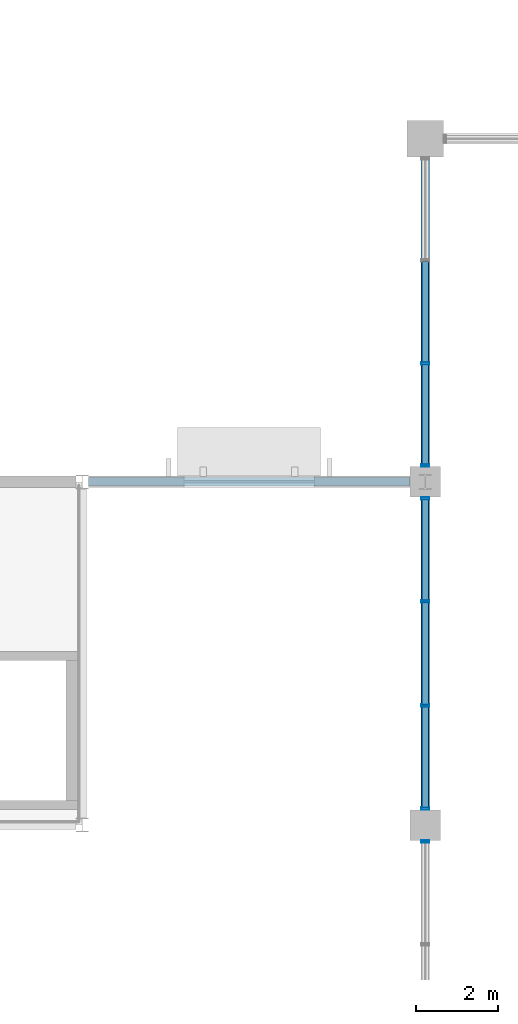
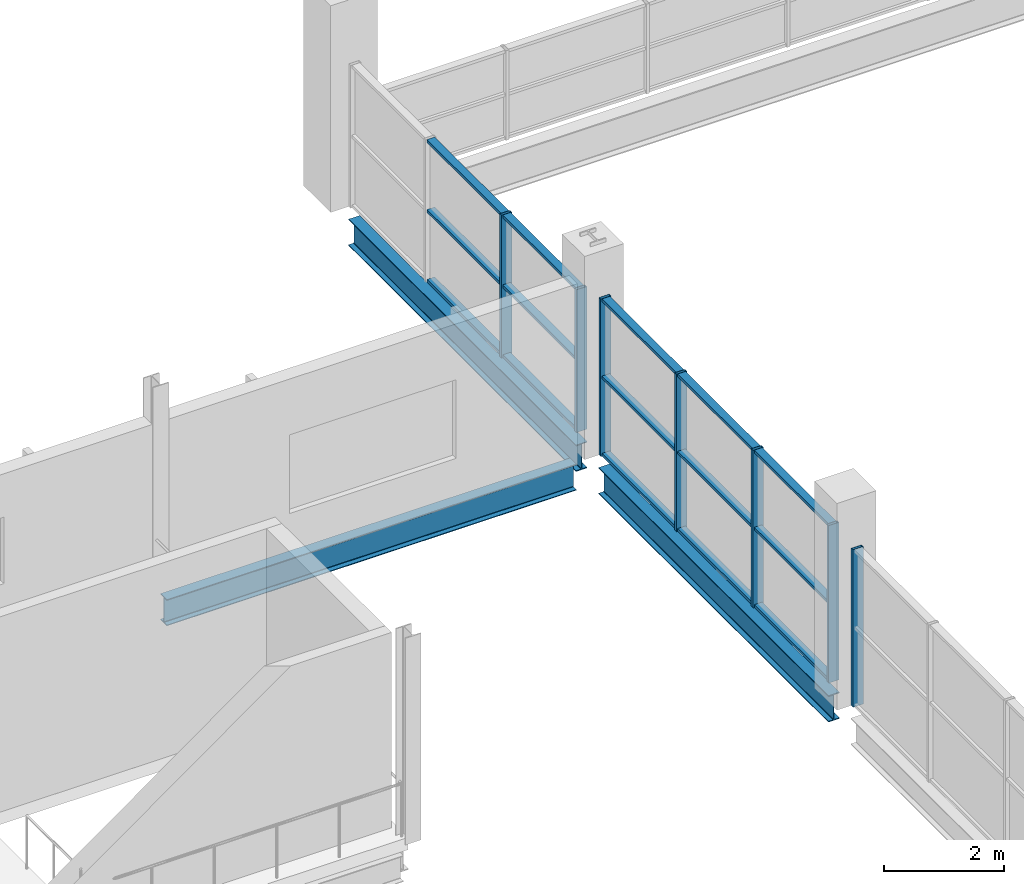
# One storey, part 22 of 68: 22 members, 3 beams, 3 elements without a shape of their own.
"""IFC4 building model written with IfcOpenShell, lengths in metres."""

from ifc_helpers import new_model, si_unit, direction, frame, origin, origin_2d, place, context, subcontext, project, spatial, hollow_rectangle, i_section, extrude, material, material_profile, profile_set, type_object, element, aggregate, save


model = new_model("IFC4")

# Units and contexts
model_context = context("Model", 3, precision=1e-05, world=origin(), true_north=direction((0.0, 1.0)))
body_context = subcontext(model_context, "Body", "Model", "MODEL_VIEW")
ifc_project = project(units=[si_unit("LENGTHUNIT", "METRE"), si_unit("AREAUNIT", "SQUARE_METRE"), si_unit("VOLUMEUNIT", "CUBIC_METRE"), si_unit("PLANEANGLEUNIT", "RADIAN"), si_unit("MASSUNIT", "GRAM", prefix="KILO"), si_unit("THERMODYNAMICTEMPERATUREUNIT", "KELVIN")], contexts=[model_context])

# Site, building, storey
site_placement = place(None, origin())
site = spatial("IfcSite", under=ifc_project, at=site_placement, CompositionType="ELEMENT")
building_placement = place(site_placement, origin())
building = spatial("IfcBuilding", under=site, at=building_placement, Name="Nduvali Passage Aquatics Centre", CompositionType="ELEMENT")
storey_placement = place(building_placement, frame((0.0, 0.0, 13.199951171875)))
storey = spatial("IfcBuildingStorey", under=building, at=storey_placement, Name="L03", CompositionType="ELEMENT", Elevation=13.199951171875)

# Curtain wall, member
ifc_material_1 = material(Name="Aluminium EN AW-6063 T6", Category="aluminium")
curtain_wall_type = type_object("IfcCurtainWallType", Name="ENV-CW-CLER", PredefinedType="NOTDEFINED", material=ifc_material_1)
curtain_wall_1_placement = place(storey_placement, origin())
curtain_wall_1 = element("IfcCurtainWall", 1, at=curtain_wall_1_placement, inside=storey, type_object=curtain_wall_type, Name="L03 West Pool Hall Upper Clerestory 009", PredefinedType="NOTDEFINED")
ifc_material_profile_1 = material_profile(ifc_material_1, hollow_rectangle(XDim=0.06005859375, YDim=0.199951171875, WallThickness=0.00390625, at=origin_2d()), Name="ALU MULLION 60x200x4")
ifc_profile_set_1 = profile_set([ifc_material_profile_1], Name="Aluminium EN AW-6063 T6")
member_type_1 = type_object("IfcMemberType", Name="ENV-MEM-MUL80", PredefinedType="MULLION", material=ifc_profile_set_1)
member_1_placement = place(storey_placement, frame((25.199951171875, 75.195068359375, 0.0), z_axis=(0.0, 0.0, 1.0), x_axis=(0.0, 1.0, 0.0)))
member_1 = element("IfcMember", 2, at=member_1_placement, type_object=member_type_1, Name="West Pool Hall Upper Clerestory Mullion 4", PredefinedType="MULLION", context=body_context, shape_type="SweptSolid", body=[
    extrude(hollow_rectangle(XDim=0.06005859375, YDim=0.199951171875, WallThickness=0.00390625, at=origin_2d()), origin(), (0.0, 0.0, 1.0), 3.199951171875),
])
aggregate(curtain_wall_1, [member_1])

# Curtain wall, members
curtain_wall_2_placement = place(storey_placement, origin())
curtain_wall_2 = element("IfcCurtainWall", 3, at=curtain_wall_2_placement, inside=storey, type_object=curtain_wall_type, Name="L03 West Pool Hall Upper Clerestory 010", PredefinedType="NOTDEFINED")
member_2_placement = place(storey_placement, frame((25.199951171875, 76.0048828125, 0.0), z_axis=(0.0, 0.0, 1.0), x_axis=(0.0, 1.0, 0.0)))
member_2 = element("IfcMember", 4, at=member_2_placement, type_object=member_type_1, Name="West Pool Hall Upper Clerestory Mullion 1", PredefinedType="MULLION", context=body_context, shape_type="SweptSolid", body=[
    extrude(hollow_rectangle(XDim=0.06005859375, YDim=0.199951171875, WallThickness=0.00390625, at=origin_2d()), origin(), (0.0, 0.0, 1.0), 3.199951171875),
])
member_3_placement = place(storey_placement, frame((25.199951171875, 78.52490234375, 0.0), z_axis=(0.0, 0.0, 1.0), x_axis=(0.0, 1.0, 0.0)))
member_3 = element("IfcMember", 5, at=member_3_placement, type_object=member_type_1, Name="West Pool Hall Upper Clerestory Mullion 2", PredefinedType="MULLION", context=body_context, shape_type="SweptSolid", body=[
    extrude(hollow_rectangle(XDim=0.06005859375, YDim=0.199951171875, WallThickness=0.00390625, at=origin_2d()), origin(), (0.0, 0.0, 1.0), 3.199951171875),
])
member_4_placement = place(storey_placement, frame((25.199951171875, 81.074951171875, 0.0), z_axis=(0.0, 0.0, 1.0), x_axis=(0.0, 1.0, 0.0)))
member_4 = element("IfcMember", 6, at=member_4_placement, type_object=member_type_1, Name="West Pool Hall Upper Clerestory Mullion 3", PredefinedType="MULLION", context=body_context, shape_type="SweptSolid", body=[
    extrude(hollow_rectangle(XDim=0.06005859375, YDim=0.199951171875, WallThickness=0.00390625, at=origin_2d()), origin(), (0.0, 0.0, 1.0), 3.199951171875),
])
member_5_placement = place(storey_placement, frame((25.199951171875, 83.594970703125, 0.0), z_axis=(0.0, 0.0, 1.0), x_axis=(0.0, 1.0, 0.0)))
member_5 = element("IfcMember", 7, at=member_5_placement, type_object=member_type_1, Name="West Pool Hall Upper Clerestory Mullion 4", PredefinedType="MULLION", context=body_context, shape_type="SweptSolid", body=[
    extrude(hollow_rectangle(XDim=0.06005859375, YDim=0.199951171875, WallThickness=0.00390625, at=origin_2d()), origin(), (0.0, 0.0, 1.0), 3.199951171875),
])

curtain_wall_3_placement = place(storey_placement, origin())
curtain_wall_3 = element("IfcCurtainWall", 8, at=curtain_wall_3_placement, inside=storey, type_object=curtain_wall_type, Name="L03 West Pool Hall High Arch Clerestory 014", PredefinedType="NOTDEFINED")
member_6_placement = place(storey_placement, frame((25.199951171875, 84.405029296875, 0.0), z_axis=(0.0, 0.0, 1.0), x_axis=(0.0, 1.0, 0.0)))
member_6 = element("IfcMember", 9, at=member_6_placement, type_object=member_type_1, Name="West Pool Hall High Arch Clerestory Mullion 1", PredefinedType="MULLION", context=body_context, shape_type="SweptSolid", body=[
    extrude(hollow_rectangle(XDim=0.06005859375, YDim=0.199951171875, WallThickness=0.00390625, at=origin_2d()), origin(), (0.0, 0.0, 1.0), 2.900146484375),
])
member_7_placement = place(storey_placement, frame((25.199951171875, 86.89990234375, 0.0), z_axis=(0.0, 0.0, 1.0), x_axis=(0.0, 1.0, 0.0)))
member_7 = element("IfcMember", 10, at=member_7_placement, type_object=member_type_1, Name="West Pool Hall High Arch Clerestory Mullion 2", PredefinedType="MULLION", context=body_context, shape_type="SweptSolid", body=[
    extrude(hollow_rectangle(XDim=0.06005859375, YDim=0.199951171875, WallThickness=0.00390625, at=origin_2d()), origin(), (0.0, 0.0, 1.0), 2.900146484375),
])

# Member
ifc_material_profile_2 = material_profile(ifc_material_1, hollow_rectangle(XDim=0.14990234375, YDim=0.06005859375, WallThickness=0.00390625, at=origin_2d()), Name="ALU TRANSOM 150x60x4")
ifc_profile_set_2 = profile_set([ifc_material_profile_2], Name="Aluminium EN AW-6063 T6")
member_type_2 = type_object("IfcMemberType", Name="ENV-MEM-TRN80", PredefinedType="USERDEFINED", material=ifc_profile_set_2)
member_8_placement = place(storey_placement, frame((25.199951171875, 76.034912109375, 0.030029296875), z_axis=(0.0, 1.0, 0.0), x_axis=(-1.0, 0.0, 0.0)))
member_8 = element("IfcMember", 11, at=member_8_placement, type_object=member_type_2, Name="West Pool Hall Upper Clerestory Transom B1-R0", ObjectType="TRANSOM", PredefinedType="USERDEFINED", context=body_context, shape_type="SweptSolid", body=[
    extrude(hollow_rectangle(XDim=0.14990234375, YDim=0.06005859375, WallThickness=0.00390625, at=origin_2d()), origin(), (0.0, 0.0, 1.0), 2.460205078125),
])

member_9_placement = place(storey_placement, frame((25.199951171875, 76.034912109375, 1.60009765625), z_axis=(0.0, 1.0, 0.0), x_axis=(-1.0, 0.0, 0.0)))
member_9 = element("IfcMember", 12, at=member_9_placement, type_object=member_type_2, Name="West Pool Hall Upper Clerestory Transom B1-R1", ObjectType="TRANSOM", PredefinedType="USERDEFINED", context=body_context, shape_type="SweptSolid", body=[
    extrude(hollow_rectangle(XDim=0.14990234375, YDim=0.06005859375, WallThickness=0.00390625, at=origin_2d()), origin(), (0.0, 0.0, 1.0), 2.460205078125),
])

member_10_placement = place(storey_placement, frame((25.199951171875, 76.034912109375, 3.170166015625), z_axis=(0.0, 1.0, 0.0), x_axis=(-1.0, 0.0, 0.0)))
member_10 = element("IfcMember", 13, at=member_10_placement, type_object=member_type_2, Name="West Pool Hall Upper Clerestory Transom B1-R2", ObjectType="TRANSOM", PredefinedType="USERDEFINED", context=body_context, shape_type="SweptSolid", body=[
    extrude(hollow_rectangle(XDim=0.14990234375, YDim=0.06005859375, WallThickness=0.00390625, at=origin_2d()), origin(), (0.0, 0.0, 1.0), 2.460205078125),
])

member_11_placement = place(storey_placement, frame((25.199951171875, 78.554931640625, 0.030029296875), z_axis=(0.0, 1.0, 0.0), x_axis=(-1.0, 0.0, 0.0)))
member_11 = element("IfcMember", 14, at=member_11_placement, type_object=member_type_2, Name="West Pool Hall Upper Clerestory Transom B2-R0", ObjectType="TRANSOM", PredefinedType="USERDEFINED", context=body_context, shape_type="SweptSolid", body=[
    extrude(hollow_rectangle(XDim=0.14990234375, YDim=0.06005859375, WallThickness=0.00390625, at=origin_2d()), origin(), (0.0, 0.0, 1.0), 2.489990234375),
])

member_12_placement = place(storey_placement, frame((25.199951171875, 78.554931640625, 1.60009765625), z_axis=(0.0, 1.0, 0.0), x_axis=(-1.0, 0.0, 0.0)))
member_12 = element("IfcMember", 15, at=member_12_placement, type_object=member_type_2, Name="West Pool Hall Upper Clerestory Transom B2-R1", ObjectType="TRANSOM", PredefinedType="USERDEFINED", context=body_context, shape_type="SweptSolid", body=[
    extrude(hollow_rectangle(XDim=0.14990234375, YDim=0.06005859375, WallThickness=0.00390625, at=origin_2d()), origin(), (0.0, 0.0, 1.0), 2.489990234375),
])

member_13_placement = place(storey_placement, frame((25.199951171875, 78.554931640625, 3.170166015625), z_axis=(0.0, 1.0, 0.0), x_axis=(-1.0, 0.0, 0.0)))
member_13 = element("IfcMember", 16, at=member_13_placement, type_object=member_type_2, Name="West Pool Hall Upper Clerestory Transom B2-R2", ObjectType="TRANSOM", PredefinedType="USERDEFINED", context=body_context, shape_type="SweptSolid", body=[
    extrude(hollow_rectangle(XDim=0.14990234375, YDim=0.06005859375, WallThickness=0.00390625, at=origin_2d()), origin(), (0.0, 0.0, 1.0), 2.489990234375),
])

member_14_placement = place(storey_placement, frame((25.199951171875, 81.10498046875, 0.030029296875), z_axis=(0.0, 1.0, 0.0), x_axis=(-1.0, 0.0, 0.0)))
member_14 = element("IfcMember", 17, at=member_14_placement, type_object=member_type_2, Name="West Pool Hall Upper Clerestory Transom B3-R0", ObjectType="TRANSOM", PredefinedType="USERDEFINED", context=body_context, shape_type="SweptSolid", body=[
    extrude(hollow_rectangle(XDim=0.14990234375, YDim=0.06005859375, WallThickness=0.00390625, at=origin_2d()), origin(), (0.0, 0.0, 1.0), 2.4599609375),
])

member_15_placement = place(storey_placement, frame((25.199951171875, 81.10498046875, 1.60009765625), z_axis=(0.0, 1.0, 0.0), x_axis=(-1.0, 0.0, 0.0)))
member_15 = element("IfcMember", 18, at=member_15_placement, type_object=member_type_2, Name="West Pool Hall Upper Clerestory Transom B3-R1", ObjectType="TRANSOM", PredefinedType="USERDEFINED", context=body_context, shape_type="SweptSolid", body=[
    extrude(hollow_rectangle(XDim=0.14990234375, YDim=0.06005859375, WallThickness=0.00390625, at=origin_2d()), origin(), (0.0, 0.0, 1.0), 2.4599609375),
])

member_16_placement = place(storey_placement, frame((25.199951171875, 81.10498046875, 3.170166015625), z_axis=(0.0, 1.0, 0.0), x_axis=(-1.0, 0.0, 0.0)))
member_16 = element("IfcMember", 19, at=member_16_placement, type_object=member_type_2, Name="West Pool Hall Upper Clerestory Transom B3-R2", ObjectType="TRANSOM", PredefinedType="USERDEFINED", context=body_context, shape_type="SweptSolid", body=[
    extrude(hollow_rectangle(XDim=0.14990234375, YDim=0.06005859375, WallThickness=0.00390625, at=origin_2d()), origin(), (0.0, 0.0, 1.0), 2.4599609375),
])

aggregate(curtain_wall_2, [member_2, member_3, member_4, member_5, member_8, member_9, member_10, member_11, member_12, member_13, member_14, member_15, member_16])

member_17_placement = place(storey_placement, frame((25.199951171875, 84.43505859375, 0.030029296875), z_axis=(0.0, 1.0, 0.0), x_axis=(-1.0, 0.0, 0.0)))
member_17 = element("IfcMember", 20, at=member_17_placement, type_object=member_type_2, Name="West Pool Hall High Arch Clerestory Transom B1-R0", ObjectType="TRANSOM", PredefinedType="USERDEFINED", context=body_context, shape_type="SweptSolid", body=[
    extrude(hollow_rectangle(XDim=0.14990234375, YDim=0.06005859375, WallThickness=0.00390625, at=origin_2d()), origin(), (0.0, 0.0, 1.0), 2.43505859375),
])

member_18_placement = place(storey_placement, frame((25.199951171875, 84.43505859375, 1.449951171875), z_axis=(0.0, 1.0, 0.0), x_axis=(-1.0, 0.0, 0.0)))
member_18 = element("IfcMember", 21, at=member_18_placement, type_object=member_type_2, Name="West Pool Hall High Arch Clerestory Transom B1-R1", ObjectType="TRANSOM", PredefinedType="USERDEFINED", context=body_context, shape_type="SweptSolid", body=[
    extrude(hollow_rectangle(XDim=0.14990234375, YDim=0.06005859375, WallThickness=0.00390625, at=origin_2d()), origin(), (0.0, 0.0, 1.0), 2.43505859375),
])

member_19_placement = place(storey_placement, frame((25.199951171875, 84.43505859375, 2.8701171875), z_axis=(0.0, 1.0, 0.0), x_axis=(-1.0, 0.0, 0.0)))
member_19 = element("IfcMember", 22, at=member_19_placement, type_object=member_type_2, Name="West Pool Hall High Arch Clerestory Transom B1-R2", ObjectType="TRANSOM", PredefinedType="USERDEFINED", context=body_context, shape_type="SweptSolid", body=[
    extrude(hollow_rectangle(XDim=0.14990234375, YDim=0.06005859375, WallThickness=0.00390625, at=origin_2d()), origin(), (0.0, 0.0, 1.0), 2.43505859375),
])

member_20_placement = place(storey_placement, frame((25.199951171875, 86.929931640625, 0.030029296875), z_axis=(0.0, 1.0, 0.0), x_axis=(-1.0, 0.0, 0.0)))
member_20 = element("IfcMember", 23, at=member_20_placement, type_object=member_type_2, Name="West Pool Hall High Arch Clerestory Transom B2-R0", ObjectType="TRANSOM", PredefinedType="USERDEFINED", context=body_context, shape_type="SweptSolid", body=[
    extrude(hollow_rectangle(XDim=0.14990234375, YDim=0.06005859375, WallThickness=0.00390625, at=origin_2d()), origin(), (0.0, 0.0, 1.0), 2.465087890625),
])

member_21_placement = place(storey_placement, frame((25.199951171875, 86.929931640625, 1.449951171875), z_axis=(0.0, 1.0, 0.0), x_axis=(-1.0, 0.0, 0.0)))
member_21 = element("IfcMember", 24, at=member_21_placement, type_object=member_type_2, Name="West Pool Hall High Arch Clerestory Transom B2-R1", ObjectType="TRANSOM", PredefinedType="USERDEFINED", context=body_context, shape_type="SweptSolid", body=[
    extrude(hollow_rectangle(XDim=0.14990234375, YDim=0.06005859375, WallThickness=0.00390625, at=origin_2d()), origin(), (0.0, 0.0, 1.0), 2.465087890625),
])

member_22_placement = place(storey_placement, frame((25.199951171875, 86.929931640625, 2.8701171875), z_axis=(0.0, 1.0, 0.0), x_axis=(-1.0, 0.0, 0.0)))
member_22 = element("IfcMember", 25, at=member_22_placement, type_object=member_type_2, Name="West Pool Hall High Arch Clerestory Transom B2-R2", ObjectType="TRANSOM", PredefinedType="USERDEFINED", context=body_context, shape_type="SweptSolid", body=[
    extrude(hollow_rectangle(XDim=0.14990234375, YDim=0.06005859375, WallThickness=0.00390625, at=origin_2d()), origin(), (0.0, 0.0, 1.0), 2.465087890625),
])

aggregate(curtain_wall_3, [member_6, member_7, member_17, member_18, member_19, member_20, member_21, member_22])

# Beams
ifc_material_2 = material(Name="Steel S355", Category="steel")
ifc_material_profile_3 = material_profile(ifc_material_2, i_section(OverallWidth=0.210693359375, OverallDepth=0.53955078125, WebThickness=0.01171875, FlangeThickness=0.018798828125, FilletRadius=0.0126953125, at=origin_2d()), Name="UKB 533x210x109")
ifc_profile_set_3 = profile_set([ifc_material_profile_3], Name="Steel S355")
beam_type_1 = type_object("IfcBeamType", Name="STR-BM-UKB533-EXT", PredefinedType="BEAM", material=ifc_profile_set_3)
beam_1_placement = place(storey_placement, frame((25.199951171875, 75.97509765625, -0.523681640625), z_axis=(0.0, 1.0, 0.0), x_axis=(-1.0, 0.0, 0.0)))
element("IfcBeam", 26, at=beam_1_placement, inside=storey, type_object=beam_type_1, Name="L03 Primary Y-Girder B6E-1255", PredefinedType="BEAM", context=body_context, shape_type="SweptSolid", body=[
    extrude(i_section(OverallWidth=0.210693359375, OverallDepth=0.53955078125, WebThickness=0.01171875, FlangeThickness=0.018798828125, FilletRadius=0.0126953125, at=origin_2d()), origin(), (0.0, 0.0, 1.0), 7.64990234375),
])
beam_2_placement = place(storey_placement, frame((25.199951171875, 84.375, -0.523681640625), z_axis=(0.0, 1.0, 0.0), x_axis=(-1.0, 0.0, 0.0)))
element("IfcBeam", 27, at=beam_2_placement, inside=storey, type_object=beam_type_1, Name="L03 Primary Y-Girder B6E-1256", PredefinedType="BEAM", context=body_context, shape_type="SweptSolid", body=[
    extrude(i_section(OverallWidth=0.210693359375, OverallDepth=0.53955078125, WebThickness=0.01171875, FlangeThickness=0.018798828125, FilletRadius=0.0126953125, at=origin_2d()), origin(), (0.0, 0.0, 1.0), 7.574951171875),
])
ifc_material_profile_4 = material_profile(ifc_material_2, i_section(OverallWidth=0.209228515625, OverallDepth=0.533203125, WebThickness=0.010009765625, FlangeThickness=0.015625, FilletRadius=0.0126953125, at=origin_2d()), Name="UKB 533x210x92")
ifc_profile_set_4 = profile_set([ifc_material_profile_4], Name="Steel S355")
beam_type_2 = type_object("IfcBeamType", Name="STR-BM-UKB533L", PredefinedType="BEAM", material=ifc_profile_set_4)
beam_3_placement = place(storey_placement, frame((16.949951171875, 84.0, -0.5205078125), z_axis=(1.0, 0.0, 0.0), x_axis=(0.0, 1.0, 0.0)))
element("IfcBeam", 28, at=beam_3_placement, inside=storey, type_object=beam_type_2, Name="L03 Primary X-Girder B6A-1216", PredefinedType="BEAM", context=body_context, shape_type="SweptSolid", body=[
    extrude(i_section(OverallWidth=0.209228515625, OverallDepth=0.533203125, WebThickness=0.010009765625, FlangeThickness=0.015625, FilletRadius=0.0126953125, at=origin_2d()), origin(), (0.0, 0.0, 1.0), 7.875),
])

save(model, "model.ifc")
